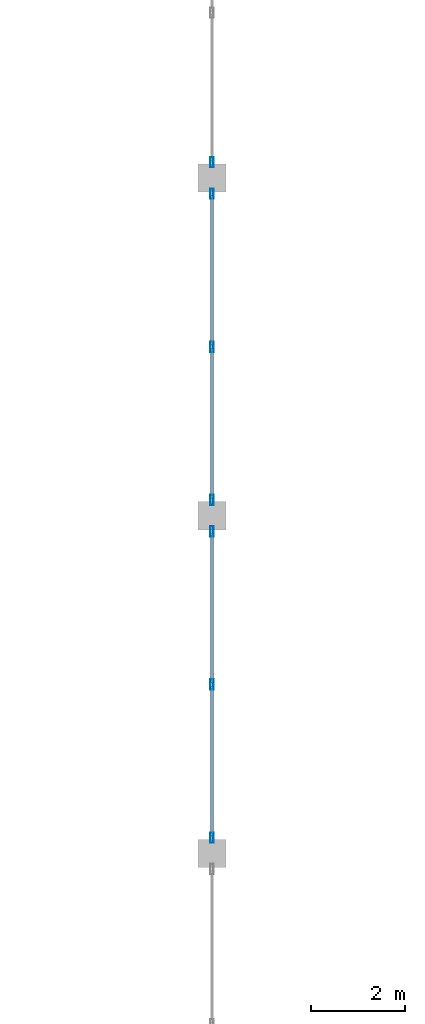
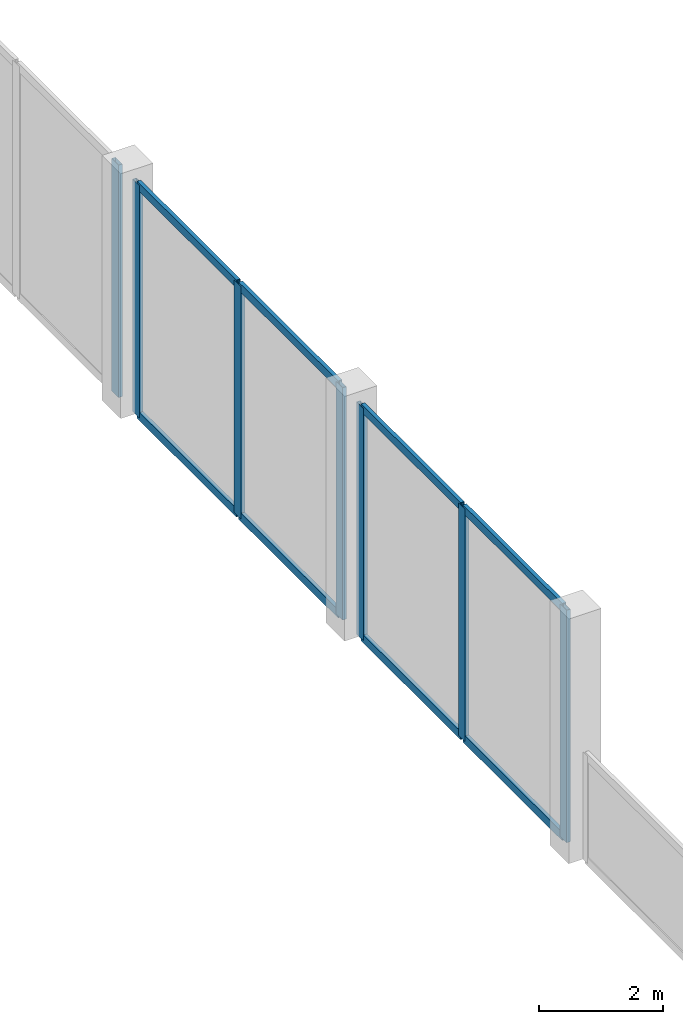
# One storey, part 50 of 120: 15 members, 3 elements without a shape of their own.
"""IFC4 building model written with IfcOpenShell, lengths in metres."""

from ifc_helpers import new_model, si_unit, direction, frame, origin, origin_2d, place, context, subcontext, project, spatial, hollow_rectangle, extrude, material, material_profile, profile_set, type_object, element, aggregate, save


model = new_model("IFC4")

# Units and contexts
model_context = context("Model", 3, precision=1e-05, world=origin(), true_north=direction((0.0, 1.0)))
body_context = subcontext(model_context, "Body", "Model", "MODEL_VIEW")
ifc_project = project(units=[si_unit("LENGTHUNIT", "METRE"), si_unit("AREAUNIT", "SQUARE_METRE"), si_unit("VOLUMEUNIT", "CUBIC_METRE"), si_unit("PLANEANGLEUNIT", "RADIAN"), si_unit("MASSUNIT", "GRAM", prefix="KILO")], contexts=[model_context])

# Site, building, storey
site_placement = place(None, origin())
site = spatial("IfcSite", under=ifc_project, at=site_placement, CompositionType="ELEMENT")
building_placement = place(site_placement, origin())
building = spatial("IfcBuilding", under=site, at=building_placement, Name="Vesperath Aquatics Centre", CompositionType="ELEMENT")
storey_placement = place(building_placement, frame((0.0, 0.0, 10.199951171875)))
storey = spatial("IfcBuildingStorey", under=building, at=storey_placement, Name="L02", CompositionType="ELEMENT", Elevation=10.199951171875)

# Curtain wall, members
ifc_material_1 = material(Name="Thermally broken anodised bronze aluminium curtain wall", Category="aluminium")
curtain_wall_type = type_object("IfcCurtainWallType", Name="CW-06", PredefinedType="NOTDEFINED", material=ifc_material_1)
curtain_wall_1_placement = place(storey_placement, origin())
curtain_wall_1 = element("IfcCurtainWall", 1, at=curtain_wall_1_placement, inside=storey, type_object=curtain_wall_type, Name="Facade Curtain Wall CW06 L02_E_08_13", PredefinedType="NOTDEFINED")
ifc_material_2 = material(Name="Thermally broken anodised aluminium", Category="aluminium")
ifc_material_profile_1 = material_profile(ifc_material_2, hollow_rectangle(XDim=0.070068359375, YDim=0.219970703125, WallThickness=0.0048828125, at=origin_2d()), Name="CWM 70x220x5")
ifc_profile_set_1 = profile_set([ifc_material_profile_1], Name="Thermally broken anodised aluminium")
member_type_1 = type_object("IfcMemberType", Name="MB-CWM2", PredefinedType="MULLION", material=ifc_profile_set_1)
member_1_placement = place(storey_placement, frame((57.60009765625, 93.93505859375, 0.0), z_axis=(0.0, 0.0, 1.0), x_axis=(-1.0, 0.0, 0.0)))
member_1 = element("IfcMember", 2, at=member_1_placement, type_object=member_type_1, Name="CW06 mullion 1", PredefinedType="MULLION", context=body_context, shape_type="SweptSolid", body=[
    extrude(hollow_rectangle(XDim=0.070068359375, YDim=0.219970703125, WallThickness=0.0048828125, at=origin_2d()), origin(), (0.0, 0.0, 1.0), 4.56005859375),
])
member_2_placement = place(storey_placement, frame((57.60009765625, 97.199951171875, 0.0), z_axis=(0.0, 0.0, 1.0), x_axis=(-1.0, 0.0, 0.0)))
member_2 = element("IfcMember", 3, at=member_2_placement, type_object=member_type_1, Name="CW06 mullion 2", PredefinedType="MULLION", context=body_context, shape_type="SweptSolid", body=[
    extrude(hollow_rectangle(XDim=0.070068359375, YDim=0.219970703125, WallThickness=0.0048828125, at=origin_2d()), origin(), (0.0, 0.0, 1.0), 4.56005859375),
])
member_3_placement = place(storey_placement, frame((57.60009765625, 100.465087890625, 0.0), z_axis=(0.0, 0.0, 1.0), x_axis=(-1.0, 0.0, 0.0)))
member_3 = element("IfcMember", 4, at=member_3_placement, type_object=member_type_1, Name="CW06 mullion 3", PredefinedType="MULLION", context=body_context, shape_type="SweptSolid", body=[
    extrude(hollow_rectangle(XDim=0.070068359375, YDim=0.219970703125, WallThickness=0.0048828125, at=origin_2d()), origin(), (0.0, 0.0, 1.0), 4.56005859375),
])

curtain_wall_2_placement = place(storey_placement, origin())
curtain_wall_2 = element("IfcCurtainWall", 5, at=curtain_wall_2_placement, inside=storey, type_object=curtain_wall_type, Name="Facade Curtain Wall CW06 L02_E_08_14", PredefinedType="NOTDEFINED")
member_4_placement = place(storey_placement, frame((57.60009765625, 101.135009765625, 0.0), z_axis=(0.0, 0.0, 1.0), x_axis=(-1.0, 0.0, 0.0)))
member_4 = element("IfcMember", 6, at=member_4_placement, type_object=member_type_1, Name="CW06 mullion 1", PredefinedType="MULLION", context=body_context, shape_type="SweptSolid", body=[
    extrude(hollow_rectangle(XDim=0.070068359375, YDim=0.219970703125, WallThickness=0.0048828125, at=origin_2d()), origin(), (0.0, 0.0, 1.0), 4.56005859375),
])
member_5_placement = place(storey_placement, frame((57.60009765625, 104.39990234375, 0.0), z_axis=(0.0, 0.0, 1.0), x_axis=(-1.0, 0.0, 0.0)))
member_5 = element("IfcMember", 7, at=member_5_placement, type_object=member_type_1, Name="CW06 mullion 2", PredefinedType="MULLION", context=body_context, shape_type="SweptSolid", body=[
    extrude(hollow_rectangle(XDim=0.070068359375, YDim=0.219970703125, WallThickness=0.0048828125, at=origin_2d()), origin(), (0.0, 0.0, 1.0), 4.56005859375),
])
member_6_placement = place(storey_placement, frame((57.60009765625, 107.6650390625, 0.0), z_axis=(0.0, 0.0, 1.0), x_axis=(-1.0, 0.0, 0.0)))
member_6 = element("IfcMember", 8, at=member_6_placement, type_object=member_type_1, Name="CW06 mullion 3", PredefinedType="MULLION", context=body_context, shape_type="SweptSolid", body=[
    extrude(hollow_rectangle(XDim=0.070068359375, YDim=0.219970703125, WallThickness=0.0048828125, at=origin_2d()), origin(), (0.0, 0.0, 1.0), 4.56005859375),
])

# Curtain wall, member
curtain_wall_3_placement = place(storey_placement, origin())
curtain_wall_3 = element("IfcCurtainWall", 9, at=curtain_wall_3_placement, inside=storey, type_object=curtain_wall_type, Name="Facade Curtain Wall CW06 L02_E_08_15", PredefinedType="NOTDEFINED")
member_7_placement = place(storey_placement, frame((57.60009765625, 108.3349609375, 0.0), z_axis=(0.0, 0.0, 1.0), x_axis=(-1.0, 0.0, 0.0)))
member_7 = element("IfcMember", 10, at=member_7_placement, type_object=member_type_1, Name="CW06 mullion 1", PredefinedType="MULLION", context=body_context, shape_type="SweptSolid", body=[
    extrude(hollow_rectangle(XDim=0.070068359375, YDim=0.219970703125, WallThickness=0.0048828125, at=origin_2d()), origin(), (0.0, 0.0, 1.0), 4.56005859375),
])
aggregate(curtain_wall_3, [member_7])

# Member
ifc_material_profile_2 = material_profile(ifc_material_2, hollow_rectangle(XDim=0.070068359375, YDim=0.159912109375, WallThickness=0.0048828125, at=origin_2d()), Name="CWT 70x160x5")
ifc_profile_set_2 = profile_set([ifc_material_profile_2], Name="Thermally broken anodised aluminium")
member_type_2 = type_object("IfcMemberType", Name="MB-CWT2", PredefinedType="USERDEFINED", material=ifc_profile_set_2)
member_8_placement = place(storey_placement, frame((57.60009765625, 93.969970703125, 0.03515625), z_axis=(0.0, 1.0, 0.0), x_axis=(-1.0, 0.0, 0.0)))
member_8 = element("IfcMember", 11, at=member_8_placement, type_object=member_type_2, Name="CW06 transom 1.1", ObjectType="TRANSOM", PredefinedType="USERDEFINED", context=body_context, shape_type="SweptSolid", body=[
    extrude(hollow_rectangle(XDim=0.070068359375, YDim=0.159912109375, WallThickness=0.0048828125, at=origin_2d()), origin(), (0.0, 0.0, 1.0), 3.195068359375),
])

member_9_placement = place(storey_placement, frame((57.60009765625, 93.969970703125, 4.525146484375), z_axis=(0.0, 1.0, 0.0), x_axis=(-1.0, 0.0, 0.0)))
member_9 = element("IfcMember", 12, at=member_9_placement, type_object=member_type_2, Name="CW06 transom 1.2", ObjectType="TRANSOM", PredefinedType="USERDEFINED", context=body_context, shape_type="SweptSolid", body=[
    extrude(hollow_rectangle(XDim=0.070068359375, YDim=0.159912109375, WallThickness=0.0048828125, at=origin_2d()), origin(), (0.0, 0.0, 1.0), 3.195068359375),
])

member_10_placement = place(storey_placement, frame((57.60009765625, 97.235107421875, 0.03515625), z_axis=(0.0, 1.0, 0.0), x_axis=(-1.0, 0.0, 0.0)))
member_10 = element("IfcMember", 13, at=member_10_placement, type_object=member_type_2, Name="CW06 transom 2.1", ObjectType="TRANSOM", PredefinedType="USERDEFINED", context=body_context, shape_type="SweptSolid", body=[
    extrude(hollow_rectangle(XDim=0.070068359375, YDim=0.159912109375, WallThickness=0.0048828125, at=origin_2d()), origin(), (0.0, 0.0, 1.0), 3.19482421875),
])

member_11_placement = place(storey_placement, frame((57.60009765625, 97.235107421875, 4.525146484375), z_axis=(0.0, 1.0, 0.0), x_axis=(-1.0, 0.0, 0.0)))
member_11 = element("IfcMember", 14, at=member_11_placement, type_object=member_type_2, Name="CW06 transom 2.2", ObjectType="TRANSOM", PredefinedType="USERDEFINED", context=body_context, shape_type="SweptSolid", body=[
    extrude(hollow_rectangle(XDim=0.070068359375, YDim=0.159912109375, WallThickness=0.0048828125, at=origin_2d()), origin(), (0.0, 0.0, 1.0), 3.19482421875),
])

aggregate(curtain_wall_1, [member_1, member_2, member_3, member_8, member_9, member_10, member_11])

member_12_placement = place(storey_placement, frame((57.60009765625, 101.169921875, 0.03515625), z_axis=(0.0, 1.0, 0.0), x_axis=(-1.0, 0.0, 0.0)))
member_12 = element("IfcMember", 15, at=member_12_placement, type_object=member_type_2, Name="CW06 transom 1.1", ObjectType="TRANSOM", PredefinedType="USERDEFINED", context=body_context, shape_type="SweptSolid", body=[
    extrude(hollow_rectangle(XDim=0.070068359375, YDim=0.159912109375, WallThickness=0.0048828125, at=origin_2d()), origin(), (0.0, 0.0, 1.0), 3.195068359375),
])

member_13_placement = place(storey_placement, frame((57.60009765625, 101.169921875, 4.525146484375), z_axis=(0.0, 1.0, 0.0), x_axis=(-1.0, 0.0, 0.0)))
member_13 = element("IfcMember", 16, at=member_13_placement, type_object=member_type_2, Name="CW06 transom 1.2", ObjectType="TRANSOM", PredefinedType="USERDEFINED", context=body_context, shape_type="SweptSolid", body=[
    extrude(hollow_rectangle(XDim=0.070068359375, YDim=0.159912109375, WallThickness=0.0048828125, at=origin_2d()), origin(), (0.0, 0.0, 1.0), 3.195068359375),
])

member_14_placement = place(storey_placement, frame((57.60009765625, 104.43505859375, 0.03515625), z_axis=(0.0, 1.0, 0.0), x_axis=(-1.0, 0.0, 0.0)))
member_14 = element("IfcMember", 17, at=member_14_placement, type_object=member_type_2, Name="CW06 transom 2.1", ObjectType="TRANSOM", PredefinedType="USERDEFINED", context=body_context, shape_type="SweptSolid", body=[
    extrude(hollow_rectangle(XDim=0.070068359375, YDim=0.159912109375, WallThickness=0.0048828125, at=origin_2d()), origin(), (0.0, 0.0, 1.0), 3.19482421875),
])

member_15_placement = place(storey_placement, frame((57.60009765625, 104.43505859375, 4.525146484375), z_axis=(0.0, 1.0, 0.0), x_axis=(-1.0, 0.0, 0.0)))
member_15 = element("IfcMember", 18, at=member_15_placement, type_object=member_type_2, Name="CW06 transom 2.2", ObjectType="TRANSOM", PredefinedType="USERDEFINED", context=body_context, shape_type="SweptSolid", body=[
    extrude(hollow_rectangle(XDim=0.070068359375, YDim=0.159912109375, WallThickness=0.0048828125, at=origin_2d()), origin(), (0.0, 0.0, 1.0), 3.19482421875),
])

aggregate(curtain_wall_2, [member_4, member_5, member_6, member_12, member_13, member_14, member_15])

save(model, "model.ifc")
